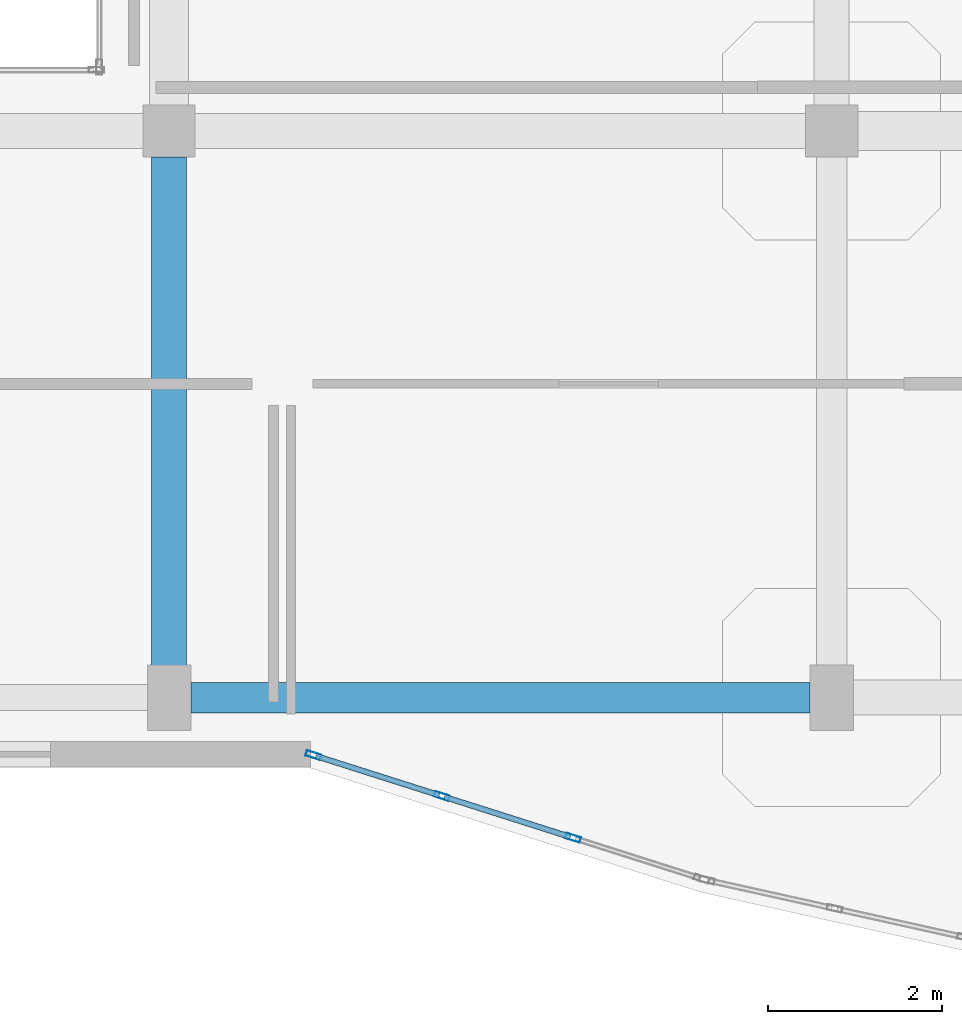
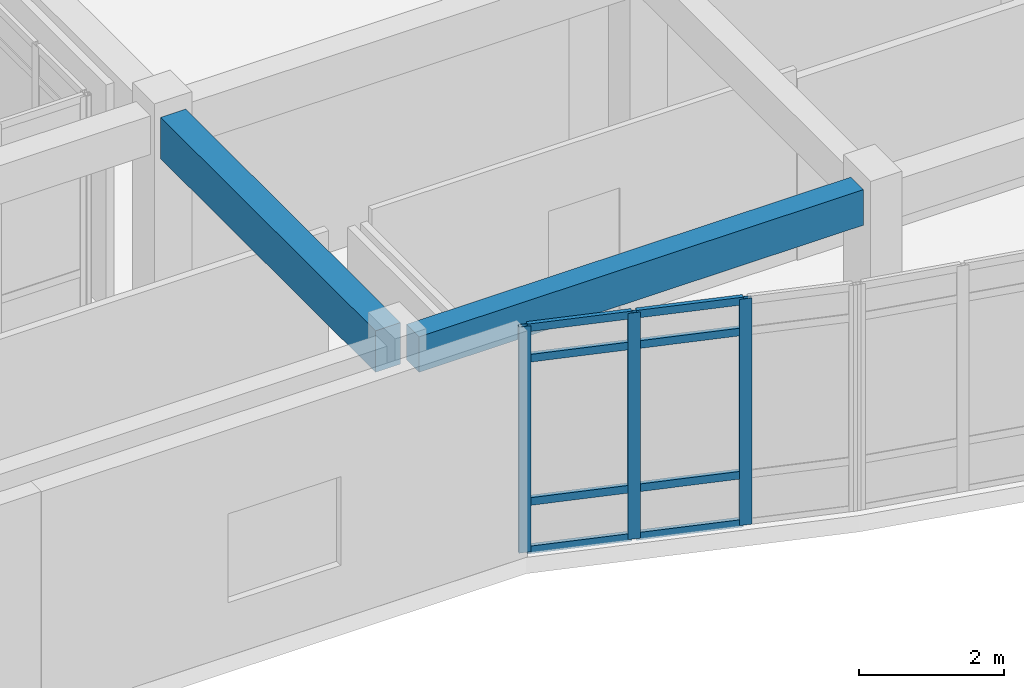
# One storey, part 79 of 146: 11 members, 2 beams, 1 element without a shape of its own.
"""IFC4 building model written with IfcOpenShell, lengths in metres."""

from ifc_helpers import new_model, si_unit, direction, frame, origin, origin_2d, place, context, subcontext, project, spatial, rectangle, hollow_rectangle, extrude, material, layer, layer_set, material_profile, profile_set, type_object, element, aggregate, save


model = new_model("IFC4")

# Units and contexts
model_context = context("Model", 3, precision=1e-05, world=origin(), true_north=direction((0.0, 1.0)))
body_context = subcontext(model_context, "Body", "Model", "MODEL_VIEW")
ifc_project = project(units=[si_unit("LENGTHUNIT", "METRE"), si_unit("AREAUNIT", "SQUARE_METRE"), si_unit("VOLUMEUNIT", "CUBIC_METRE"), si_unit("PLANEANGLEUNIT", "RADIAN"), si_unit("MASSUNIT", "GRAM", prefix="KILO")], contexts=[model_context])

# Site, building, storey
site_placement = place(None, origin())
site = spatial("IfcSite", under=ifc_project, at=site_placement, CompositionType="ELEMENT")
building_placement = place(site_placement, origin())
building = spatial("IfcBuilding", under=site, at=building_placement, Name="Valcora Specialist Clinic", CompositionType="ELEMENT")
storey_placement = place(building_placement, frame((0.0, 0.0, 9.52001953125)))
storey = spatial("IfcBuildingStorey", under=building, at=storey_placement, Name="L02", CompositionType="ELEMENT", Elevation=9.52001953125)

# Beams
ifc_material_1 = material(Name="Concrete C40/50", Category="concrete")
ifc_material_profile_1 = material_profile(ifc_material_1, rectangle(XDim=0.35009765625, YDim=0.60009765625, at=origin_2d()), Name="RC-BM-350X600")
ifc_profile_set_1 = profile_set([ifc_material_profile_1], Name="Concrete C40/50")
beam_type_1 = type_object("IfcBeamType", Name="TY-BM-RC350X600", PredefinedType="BEAM", material=ifc_profile_set_1)
beam_1_placement = place(storey_placement, frame((91.050048828125, 74.800048828125, 3.52001953125), z_axis=(1.0, 0.0, 0.0), x_axis=(0.0, 1.0, 0.0)))
element("IfcBeam", 1, at=beam_1_placement, inside=storey, type_object=beam_type_1, Name="Beam BM-L02-0698", PredefinedType="BEAM", context=body_context, shape_type="SweptSolid", body=[
    extrude(rectangle(XDim=0.35009765625, YDim=0.60009765625, at=origin_2d()), origin(), (0.0, 0.0, 1.0), 7.099853515625),
])
ifc_material_profile_2 = material_profile(ifc_material_1, rectangle(XDim=0.39990234375, YDim=0.699951171875, at=origin_2d()), Name="RC-BM-400X700")
ifc_profile_set_2 = profile_set([ifc_material_profile_2], Name="Concrete C40/50")
beam_type_2 = type_object("IfcBeamType", Name="TY-BM-RC400X700", PredefinedType="BEAM", material=ifc_profile_set_2)
beam_2_placement = place(storey_placement, frame((90.800048828125, 75.050048828125, 3.469970703125), z_axis=(0.0, 1.0, 0.0), x_axis=(-1.0, 0.0, 0.0)))
element("IfcBeam", 2, at=beam_2_placement, inside=storey, type_object=beam_type_2, Name="Beam BM-L02-0746", PredefinedType="BEAM", context=body_context, shape_type="SweptSolid", body=[
    extrude(rectangle(XDim=0.39990234375, YDim=0.699951171875, at=origin_2d()), origin(), (0.0, 0.0, 1.0), 5.949951171875),
])

# Curtain wall, members
ifc_material_2 = material(Name="Anodized Bronze Aluminium 6063-T6", Category="aluminium")
ifc_layer = layer(ifc_material_2, 0.175048828125)
ifc_layer_set = layer_set([ifc_layer], Name="Anodized Bronze Aluminium 6063-T6")
curtain_wall_type = type_object("IfcCurtainWallType", Name="TY-CW-ARC40", PredefinedType="NOTDEFINED", material=ifc_layer_set)
curtain_wall_placement = place(storey_placement, origin())
curtain_wall = element("IfcCurtainWall", 3, at=curtain_wall_placement, inside=storey, type_object=curtain_wall_type, Name="Curtain wall CW-L02-092", PredefinedType="NOTDEFINED")
ifc_material_profile_3 = material_profile(ifc_material_2, hollow_rectangle(XDim=0.06494140625, YDim=0.175048828125, WallThickness=0.00390625, at=origin_2d()), Name="AL-MUL-65X175")
ifc_profile_set_3 = profile_set([ifc_material_profile_3], Name="Anodized Bronze Aluminium 6063-T6")
member_type_1 = type_object("IfcMemberType", Name="TY-CWM-65X175", PredefinedType="MULLION", material=ifc_profile_set_3)
member_1_placement = place(storey_placement, frame((95.433837890625, 73.19189453125, 0.0), z_axis=(0.0, 0.0, 1.0), x_axis=(-0.303233270958, -0.952916356972, 0.0)))
member_1 = element("IfcMember", 4, at=member_1_placement, type_object=member_type_1, Name="CW-ARC-40 mullion 2", PredefinedType="MULLION", context=body_context, shape_type="SweptSolid", body=[
    extrude(hollow_rectangle(XDim=0.06494140625, YDim=0.175048828125, WallThickness=0.00390625, at=origin_2d()), origin(), (0.0, 0.0, 1.0), 3.820068359375),
])
member_2_placement = place(storey_placement, frame((93.928466796875, 73.6708984375, 0.0), z_axis=(0.0, 0.0, 1.0), x_axis=(-0.303233270958, -0.952916356972, 0.0)))
member_2 = element("IfcMember", 5, at=member_2_placement, type_object=member_type_1, Name="CW-ARC-40 mullion 3", PredefinedType="MULLION", context=body_context, shape_type="SweptSolid", body=[
    extrude(hollow_rectangle(XDim=0.06494140625, YDim=0.175048828125, WallThickness=0.00390625, at=origin_2d()), origin(), (0.0, 0.0, 1.0), 3.820068359375),
])
member_3_placement = place(storey_placement, frame((92.454345703125, 74.14013671875, 0.0), z_axis=(0.0, 0.0, 1.0), x_axis=(-0.303233270958, -0.952916356972, 0.0)))
member_3 = element("IfcMember", 6, at=member_3_placement, type_object=member_type_1, Name="CW-ARC-40 mullion 4", PredefinedType="MULLION", context=body_context, shape_type="SweptSolid", body=[
    extrude(hollow_rectangle(XDim=0.06494140625, YDim=0.175048828125, WallThickness=0.00390625, at=origin_2d()), origin(), (0.0, 0.0, 1.0), 3.820068359375),
])
ifc_material_profile_4 = material_profile(ifc_material_2, hollow_rectangle(XDim=0.06494140625, YDim=0.1298828125, WallThickness=0.00390625, at=origin_2d()), Name="AL-TRN-65X130")
ifc_profile_set_4 = profile_set([ifc_material_profile_4], Name="Anodized Bronze Aluminium 6063-T6")
member_type_2 = type_object("IfcMemberType", Name="TY-CWT-65X130", PredefinedType="USERDEFINED", material=ifc_profile_set_4)
member_4_placement = place(storey_placement, frame((95.40283203125, 73.201904296875, 0.032470703125), z_axis=(-0.952930013692, 0.303190351109, 0.0), x_axis=(-0.303190351109, -0.952930013692, 0.0)))
member_4 = element("IfcMember", 7, at=member_4_placement, type_object=member_type_2, Name="CW-ARC-40 transom 2.1", ObjectType="TRANSOM", PredefinedType="USERDEFINED", context=body_context, shape_type="SweptSolid", body=[
    extrude(hollow_rectangle(XDim=0.06494140625, YDim=0.1298828125, WallThickness=0.00390625, at=origin_2d()), origin(), (0.0, 0.0, 1.0), 1.5146484375),
])
member_5_placement = place(storey_placement, frame((95.40283203125, 73.201904296875, 0.85009765625), z_axis=(-0.952930013692, 0.303190351109, 0.0), x_axis=(-0.303190351109, -0.952930013692, 0.0)))
member_5 = element("IfcMember", 8, at=member_5_placement, type_object=member_type_2, Name="CW-ARC-40 transom 2.2", ObjectType="TRANSOM", PredefinedType="USERDEFINED", context=body_context, shape_type="SweptSolid", body=[
    extrude(hollow_rectangle(XDim=0.06494140625, YDim=0.1298828125, WallThickness=0.00390625, at=origin_2d()), origin(), (0.0, 0.0, 1.0), 1.5146484375),
])
member_6_placement = place(storey_placement, frame((95.40283203125, 73.201904296875, 3.27001953125), z_axis=(-0.952930013692, 0.303190351109, 0.0), x_axis=(-0.303190351109, -0.952930013692, 0.0)))
member_6 = element("IfcMember", 9, at=member_6_placement, type_object=member_type_2, Name="CW-ARC-40 transom 2.3", ObjectType="TRANSOM", PredefinedType="USERDEFINED", context=body_context, shape_type="SweptSolid", body=[
    extrude(hollow_rectangle(XDim=0.06494140625, YDim=0.1298828125, WallThickness=0.00390625, at=origin_2d()), origin(), (0.0, 0.0, 1.0), 1.5146484375),
])
member_7_placement = place(storey_placement, frame((95.40283203125, 73.201904296875, 3.78759765625), z_axis=(-0.952930013692, 0.303190351109, 0.0), x_axis=(-0.303190351109, -0.952930013692, 0.0)))
member_7 = element("IfcMember", 10, at=member_7_placement, type_object=member_type_2, Name="CW-ARC-40 transom 2.4", ObjectType="TRANSOM", PredefinedType="USERDEFINED", context=body_context, shape_type="SweptSolid", body=[
    extrude(hollow_rectangle(XDim=0.06494140625, YDim=0.1298828125, WallThickness=0.00390625, at=origin_2d()), origin(), (0.0, 0.0, 1.0), 1.5146484375),
])
member_8_placement = place(storey_placement, frame((93.897705078125, 73.680908203125, 0.032470703125), z_axis=(-0.952910635624, 0.303251249816, 0.0), x_axis=(-0.303251249816, -0.952910635624, 0.0)))
member_8 = element("IfcMember", 11, at=member_8_placement, type_object=member_type_2, Name="CW-ARC-40 transom 3.1", ObjectType="TRANSOM", PredefinedType="USERDEFINED", context=body_context, shape_type="SweptSolid", body=[
    extrude(hollow_rectangle(XDim=0.06494140625, YDim=0.1298828125, WallThickness=0.00390625, at=origin_2d()), origin(), (0.0, 0.0, 1.0), 1.482177734375),
])
member_9_placement = place(storey_placement, frame((93.897705078125, 73.680908203125, 0.85009765625), z_axis=(-0.952910635624, 0.303251249816, 0.0), x_axis=(-0.303251249816, -0.952910635624, 0.0)))
member_9 = element("IfcMember", 12, at=member_9_placement, type_object=member_type_2, Name="CW-ARC-40 transom 3.2", ObjectType="TRANSOM", PredefinedType="USERDEFINED", context=body_context, shape_type="SweptSolid", body=[
    extrude(hollow_rectangle(XDim=0.06494140625, YDim=0.1298828125, WallThickness=0.00390625, at=origin_2d()), origin(), (0.0, 0.0, 1.0), 1.482177734375),
])
member_10_placement = place(storey_placement, frame((93.897705078125, 73.680908203125, 3.27001953125), z_axis=(-0.952910635624, 0.303251249816, 0.0), x_axis=(-0.303251249816, -0.952910635624, 0.0)))
member_10 = element("IfcMember", 13, at=member_10_placement, type_object=member_type_2, Name="CW-ARC-40 transom 3.3", ObjectType="TRANSOM", PredefinedType="USERDEFINED", context=body_context, shape_type="SweptSolid", body=[
    extrude(hollow_rectangle(XDim=0.06494140625, YDim=0.1298828125, WallThickness=0.00390625, at=origin_2d()), origin(), (0.0, 0.0, 1.0), 1.482177734375),
])
member_11_placement = place(storey_placement, frame((93.897705078125, 73.680908203125, 3.78759765625), z_axis=(-0.952910635624, 0.303251249816, 0.0), x_axis=(-0.303251249816, -0.952910635624, 0.0)))
member_11 = element("IfcMember", 14, at=member_11_placement, type_object=member_type_2, Name="CW-ARC-40 transom 3.4", ObjectType="TRANSOM", PredefinedType="USERDEFINED", context=body_context, shape_type="SweptSolid", body=[
    extrude(hollow_rectangle(XDim=0.06494140625, YDim=0.1298828125, WallThickness=0.00390625, at=origin_2d()), origin(), (0.0, 0.0, 1.0), 1.482177734375),
])
aggregate(curtain_wall, [member_1, member_2, member_3, member_4, member_5, member_6, member_7, member_8, member_9, member_10, member_11])

save(model, "model.ifc")
